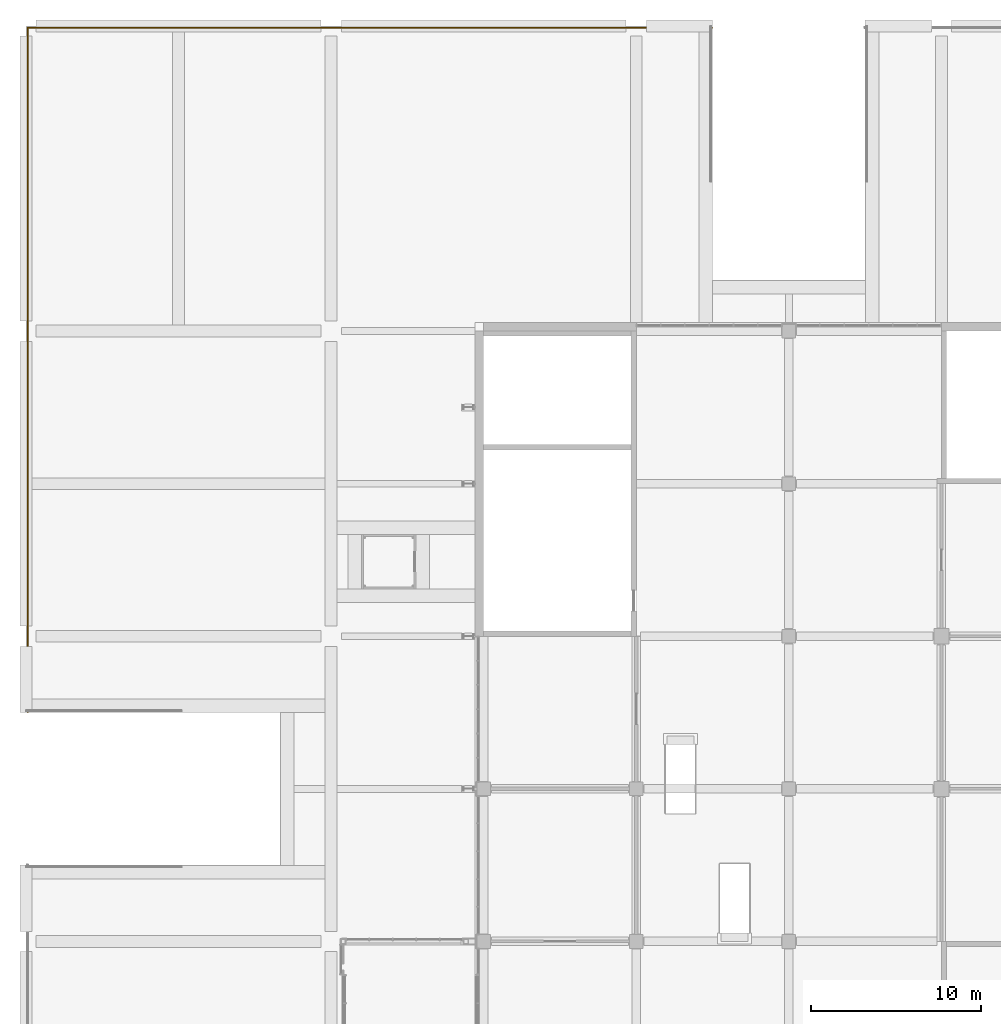
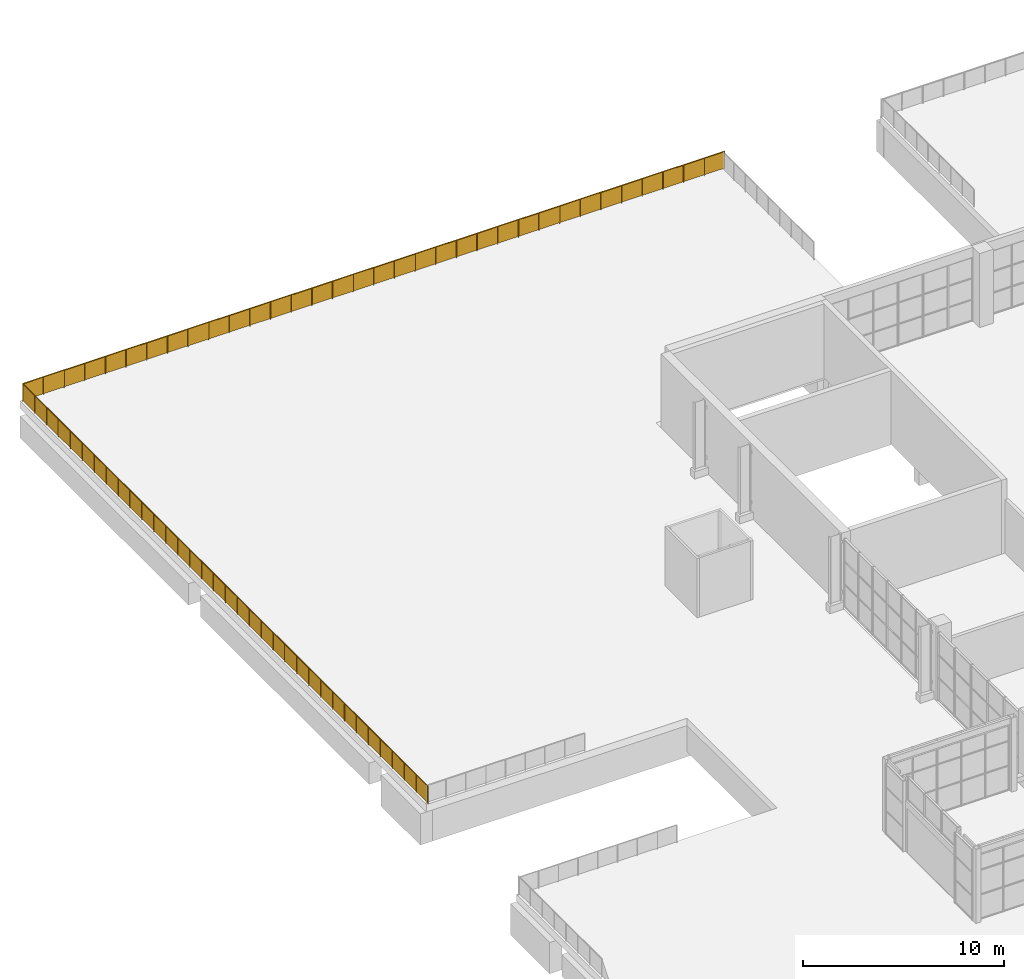
# One storey, part 159 of 168: 1 railing.
"""IFC4 building model written with IfcOpenShell, lengths in metres."""

from ifc_helpers import new_model, si_unit, direction, frame, origin, origin_2d, place, context, subcontext, project, spatial, polyline, circle, outline, extrude, material, type_object, element, save


model = new_model("IFC4")

# Units and contexts
model_context = context("Model", 3, precision=1e-05, world=origin(), true_north=direction((0.0, 1.0)))
body_context = subcontext(model_context, "Body", "Model", "MODEL_VIEW")
ifc_project = project(units=[si_unit("LENGTHUNIT", "METRE"), si_unit("AREAUNIT", "SQUARE_METRE"), si_unit("VOLUMEUNIT", "CUBIC_METRE"), si_unit("PLANEANGLEUNIT", "RADIAN"), si_unit("MASSUNIT", "GRAM", prefix="KILO")], contexts=[model_context])

# Site, building, storey
site_placement = place(None, origin())
site = spatial("IfcSite", under=ifc_project, at=site_placement, CompositionType="ELEMENT")
building_placement = place(site_placement, origin())
building = spatial("IfcBuilding", under=site, at=building_placement, Name="Silverbay Arena", CompositionType="ELEMENT")
storey_placement = place(building_placement, frame((0.0, 0.0, 7.0)))
storey = spatial("IfcBuildingStorey", under=building, at=storey_placement, Name="L01", CompositionType="ELEMENT", Elevation=7.0)

# Railing
ifc_material = material(Name="Stainless steel", Category="steel")
railing_type = type_object("IfcRailingType", Name="Plaza deck guard 1100", PredefinedType="GUARDRAIL", material=ifc_material)
railing_placement = place(storey_placement, frame((40.5, 161.89990234375, 0.0)))
element("IfcRailing", 1, at=railing_placement, inside=storey, type_object=railing_type, Name="Plaza deck guard 2", PredefinedType="GUARDRAIL", context=body_context, shape_type="SweptSolid", body=[
    extrude(circle(Radius=0.02392578125, at=origin_2d()), frame((0.0, 0.0, 1.076171875), z_axis=(-1.0, 0.0, 0.0), x_axis=(0.0, -1.0, 0.0)), (0.0, 0.0, 1.0), 40.39990234375),
    extrude(outline(polyline([(-0.008056640625, 0.050048828125), (1.1962890625, 0.050048828125), (1.1962890625, 1.052978515625), (-0.008056640625, 1.052978515625), (-0.008056640625, 0.050048828125)])), frame((0.0, -0.0029296875, 0.0), z_axis=(0.0, 1.0, 0.0), x_axis=(-1.0, 0.0, 0.0)), (0.0, 0.0, 1.0), 0.006103515625),
    extrude(outline(polyline([(-0.008056640625, 0.050048828125), (1.1962890625, 0.050048828125), (1.1962890625, 1.052978515625), (-0.008056640625, 1.052978515625), (-0.008056640625, 0.050048828125)])), frame((-1.188232421875, -0.0029296875, 0.0), z_axis=(0.0, 1.0, 0.0), x_axis=(-1.0, 0.0, 0.0)), (0.0, 0.0, 1.0), 0.006103515625),
    extrude(outline(polyline([(-0.008056640625, 0.050048828125), (1.1962890625, 0.050048828125), (1.1962890625, 1.052978515625), (-0.008056640625, 1.052978515625), (-0.008056640625, 0.050048828125)])), frame((-2.37646484375, -0.0029296875, 0.0), z_axis=(0.0, 1.0, 0.0), x_axis=(-1.0, 0.0, 0.0)), (0.0, 0.0, 1.0), 0.006103515625),
    extrude(outline(polyline([(-0.008056640625, 0.050048828125), (1.1962890625, 0.050048828125), (1.1962890625, 1.052978515625), (-0.008056640625, 1.052978515625), (-0.008056640625, 0.050048828125)])), frame((-3.564697265625, -0.0029296875, 0.0), z_axis=(0.0, 1.0, 0.0), x_axis=(-1.0, 0.0, 0.0)), (0.0, 0.0, 1.0), 0.006103515625),
    extrude(outline(polyline([(-0.008056640625, 0.050048828125), (1.1962890625, 0.050048828125), (1.1962890625, 1.052978515625), (-0.008056640625, 1.052978515625), (-0.008056640625, 0.050048828125)])), frame((-4.7529296875, -0.0029296875, 0.0), z_axis=(0.0, 1.0, 0.0), x_axis=(-1.0, 0.0, 0.0)), (0.0, 0.0, 1.0), 0.006103515625),
    extrude(outline(polyline([(-0.008056640625, 0.050048828125), (1.1962890625, 0.050048828125), (1.1962890625, 1.052978515625), (-0.008056640625, 1.052978515625), (-0.008056640625, 0.050048828125)])), frame((-5.941162109375, -0.0029296875, 0.0), z_axis=(0.0, 1.0, 0.0), x_axis=(-1.0, 0.0, 0.0)), (0.0, 0.0, 1.0), 0.006103515625),
    extrude(outline(polyline([(-0.008056640625, 0.050048828125), (1.1962890625, 0.050048828125), (1.1962890625, 1.052978515625), (-0.008056640625, 1.052978515625), (-0.008056640625, 0.050048828125)])), frame((-7.12939453125, -0.0029296875, 0.0), z_axis=(0.0, 1.0, 0.0), x_axis=(-1.0, 0.0, 0.0)), (0.0, 0.0, 1.0), 0.006103515625),
    extrude(outline(polyline([(-0.008056640625, 0.050048828125), (1.1962890625, 0.050048828125), (1.1962890625, 1.052978515625), (-0.008056640625, 1.052978515625), (-0.008056640625, 0.050048828125)])), frame((-8.317626953125, -0.0029296875, 0.0), z_axis=(0.0, 1.0, 0.0), x_axis=(-1.0, 0.0, 0.0)), (0.0, 0.0, 1.0), 0.006103515625),
    extrude(outline(polyline([(-0.008056640625, 0.050048828125), (1.1962890625, 0.050048828125), (1.1962890625, 1.052978515625), (-0.008056640625, 1.052978515625), (-0.008056640625, 0.050048828125)])), frame((-9.505859375, -0.0029296875, 0.0), z_axis=(0.0, 1.0, 0.0), x_axis=(-1.0, 0.0, 0.0)), (0.0, 0.0, 1.0), 0.006103515625),
    extrude(outline(polyline([(-0.008056640625, 0.050048828125), (1.1962890625, 0.050048828125), (1.1962890625, 1.052978515625), (-0.008056640625, 1.052978515625), (-0.008056640625, 0.050048828125)])), frame((-10.694091796875, -0.0029296875, 0.0), z_axis=(0.0, 1.0, 0.0), x_axis=(-1.0, 0.0, 0.0)), (0.0, 0.0, 1.0), 0.006103515625),
    extrude(outline(polyline([(-0.008056640625, 0.050048828125), (1.1962890625, 0.050048828125), (1.1962890625, 1.052978515625), (-0.008056640625, 1.052978515625), (-0.008056640625, 0.050048828125)])), frame((-11.88232421875, -0.0029296875, 0.0), z_axis=(0.0, 1.0, 0.0), x_axis=(-1.0, 0.0, 0.0)), (0.0, 0.0, 1.0), 0.006103515625),
    extrude(outline(polyline([(-0.008056640625, 0.050048828125), (1.1962890625, 0.050048828125), (1.1962890625, 1.052978515625), (-0.008056640625, 1.052978515625), (-0.008056640625, 0.050048828125)])), frame((-13.070556640625, -0.0029296875, 0.0), z_axis=(0.0, 1.0, 0.0), x_axis=(-1.0, 0.0, 0.0)), (0.0, 0.0, 1.0), 0.006103515625),
    extrude(outline(polyline([(-0.008056640625, 0.050048828125), (1.1962890625, 0.050048828125), (1.1962890625, 1.052978515625), (-0.008056640625, 1.052978515625), (-0.008056640625, 0.050048828125)])), frame((-14.2587890625, -0.0029296875, 0.0), z_axis=(0.0, 1.0, 0.0), x_axis=(-1.0, 0.0, 0.0)), (0.0, 0.0, 1.0), 0.006103515625),
    extrude(outline(polyline([(-0.008056640625, 0.050048828125), (1.1962890625, 0.050048828125), (1.1962890625, 1.052978515625), (-0.008056640625, 1.052978515625), (-0.008056640625, 0.050048828125)])), frame((-15.447021484375, -0.0029296875, 0.0), z_axis=(0.0, 1.0, 0.0), x_axis=(-1.0, 0.0, 0.0)), (0.0, 0.0, 1.0), 0.006103515625),
    extrude(outline(polyline([(-0.008056640625, 0.050048828125), (1.1962890625, 0.050048828125), (1.1962890625, 1.052978515625), (-0.008056640625, 1.052978515625), (-0.008056640625, 0.050048828125)])), frame((-16.63525390625, -0.0029296875, 0.0), z_axis=(0.0, 1.0, 0.0), x_axis=(-1.0, 0.0, 0.0)), (0.0, 0.0, 1.0), 0.006103515625),
    extrude(outline(polyline([(-0.008056640625, 0.050048828125), (1.1962890625, 0.050048828125), (1.1962890625, 1.052978515625), (-0.008056640625, 1.052978515625), (-0.008056640625, 0.050048828125)])), frame((-17.823486328125, -0.0029296875, 0.0), z_axis=(0.0, 1.0, 0.0), x_axis=(-1.0, 0.0, 0.0)), (0.0, 0.0, 1.0), 0.006103515625),
    extrude(outline(polyline([(-0.008056640625, 0.050048828125), (1.1962890625, 0.050048828125), (1.1962890625, 1.052978515625), (-0.008056640625, 1.052978515625), (-0.008056640625, 0.050048828125)])), frame((-19.01171875, -0.0029296875, 0.0), z_axis=(0.0, 1.0, 0.0), x_axis=(-1.0, 0.0, 0.0)), (0.0, 0.0, 1.0), 0.006103515625),
    extrude(outline(polyline([(-0.008056640625, 0.050048828125), (1.1962890625, 0.050048828125), (1.1962890625, 1.052978515625), (-0.008056640625, 1.052978515625), (-0.008056640625, 0.050048828125)])), frame((-20.199951171875, -0.0029296875, 0.0), z_axis=(0.0, 1.0, 0.0), x_axis=(-1.0, 0.0, 0.0)), (0.0, 0.0, 1.0), 0.006103515625),
    extrude(outline(polyline([(-0.008056640625, 0.050048828125), (1.1962890625, 0.050048828125), (1.1962890625, 1.052978515625), (-0.008056640625, 1.052978515625), (-0.008056640625, 0.050048828125)])), frame((-21.38818359375, -0.0029296875, 0.0), z_axis=(0.0, 1.0, 0.0), x_axis=(-1.0, 0.0, 0.0)), (0.0, 0.0, 1.0), 0.006103515625),
    extrude(outline(polyline([(-0.008056640625, 0.050048828125), (1.1962890625, 0.050048828125), (1.1962890625, 1.052978515625), (-0.008056640625, 1.052978515625), (-0.008056640625, 0.050048828125)])), frame((-22.576416015625, -0.0029296875, 0.0), z_axis=(0.0, 1.0, 0.0), x_axis=(-1.0, 0.0, 0.0)), (0.0, 0.0, 1.0), 0.006103515625),
    extrude(outline(polyline([(-0.008056640625, 0.050048828125), (1.1962890625, 0.050048828125), (1.1962890625, 1.052978515625), (-0.008056640625, 1.052978515625), (-0.008056640625, 0.050048828125)])), frame((-23.7646484375, -0.0029296875, 0.0), z_axis=(0.0, 1.0, 0.0), x_axis=(-1.0, 0.0, 0.0)), (0.0, 0.0, 1.0), 0.006103515625),
    extrude(outline(polyline([(-0.008056640625, 0.050048828125), (1.1962890625, 0.050048828125), (1.1962890625, 1.052978515625), (-0.008056640625, 1.052978515625), (-0.008056640625, 0.050048828125)])), frame((-24.952880859375, -0.0029296875, 0.0), z_axis=(0.0, 1.0, 0.0), x_axis=(-1.0, 0.0, 0.0)), (0.0, 0.0, 1.0), 0.006103515625),
    extrude(outline(polyline([(-0.008056640625, 0.050048828125), (1.1962890625, 0.050048828125), (1.1962890625, 1.052978515625), (-0.008056640625, 1.052978515625), (-0.008056640625, 0.050048828125)])), frame((-26.14111328125, -0.0029296875, 0.0), z_axis=(0.0, 1.0, 0.0), x_axis=(-1.0, 0.0, 0.0)), (0.0, 0.0, 1.0), 0.006103515625),
    extrude(outline(polyline([(-0.008056640625, 0.050048828125), (1.1962890625, 0.050048828125), (1.1962890625, 1.052978515625), (-0.008056640625, 1.052978515625), (-0.008056640625, 0.050048828125)])), frame((-27.329345703125, -0.0029296875, 0.0), z_axis=(0.0, 1.0, 0.0), x_axis=(-1.0, 0.0, 0.0)), (0.0, 0.0, 1.0), 0.006103515625),
    extrude(outline(polyline([(-0.008056640625, 0.050048828125), (1.1962890625, 0.050048828125), (1.1962890625, 1.052978515625), (-0.008056640625, 1.052978515625), (-0.008056640625, 0.050048828125)])), frame((-28.517578125, -0.0029296875, 0.0), z_axis=(0.0, 1.0, 0.0), x_axis=(-1.0, 0.0, 0.0)), (0.0, 0.0, 1.0), 0.006103515625),
    extrude(outline(polyline([(-0.008056640625, 0.050048828125), (1.1962890625, 0.050048828125), (1.1962890625, 1.052978515625), (-0.008056640625, 1.052978515625), (-0.008056640625, 0.050048828125)])), frame((-29.705810546875, -0.0029296875, 0.0), z_axis=(0.0, 1.0, 0.0), x_axis=(-1.0, 0.0, 0.0)), (0.0, 0.0, 1.0), 0.006103515625),
    extrude(outline(polyline([(-0.008056640625, 0.050048828125), (1.1962890625, 0.050048828125), (1.1962890625, 1.052978515625), (-0.008056640625, 1.052978515625), (-0.008056640625, 0.050048828125)])), frame((-30.89404296875, -0.0029296875, 0.0), z_axis=(0.0, 1.0, 0.0), x_axis=(-1.0, 0.0, 0.0)), (0.0, 0.0, 1.0), 0.006103515625),
    extrude(outline(polyline([(-0.008056640625, 0.050048828125), (1.1962890625, 0.050048828125), (1.1962890625, 1.052978515625), (-0.008056640625, 1.052978515625), (-0.008056640625, 0.050048828125)])), frame((-32.082275390625, -0.0029296875, 0.0), z_axis=(0.0, 1.0, 0.0), x_axis=(-1.0, 0.0, 0.0)), (0.0, 0.0, 1.0), 0.006103515625),
    extrude(outline(polyline([(-0.008056640625, 0.050048828125), (1.1962890625, 0.050048828125), (1.1962890625, 1.052978515625), (-0.008056640625, 1.052978515625), (-0.008056640625, 0.050048828125)])), frame((-33.2705078125, -0.0029296875, 0.0), z_axis=(0.0, 1.0, 0.0), x_axis=(-1.0, 0.0, 0.0)), (0.0, 0.0, 1.0), 0.006103515625),
    extrude(outline(polyline([(-0.008056640625, 0.050048828125), (1.1962890625, 0.050048828125), (1.1962890625, 1.052978515625), (-0.008056640625, 1.052978515625), (-0.008056640625, 0.050048828125)])), frame((-34.458740234375, -0.0029296875, 0.0), z_axis=(0.0, 1.0, 0.0), x_axis=(-1.0, 0.0, 0.0)), (0.0, 0.0, 1.0), 0.006103515625),
    extrude(outline(polyline([(-0.008056640625, 0.050048828125), (1.1962890625, 0.050048828125), (1.1962890625, 1.052978515625), (-0.008056640625, 1.052978515625), (-0.008056640625, 0.050048828125)])), frame((-35.64697265625, -0.0029296875, 0.0), z_axis=(0.0, 1.0, 0.0), x_axis=(-1.0, 0.0, 0.0)), (0.0, 0.0, 1.0), 0.006103515625),
    extrude(outline(polyline([(-0.008056640625, 0.050048828125), (1.1962890625, 0.050048828125), (1.1962890625, 1.052978515625), (-0.008056640625, 1.052978515625), (-0.008056640625, 0.050048828125)])), frame((-36.835205078125, -0.0029296875, 0.0), z_axis=(0.0, 1.0, 0.0), x_axis=(-1.0, 0.0, 0.0)), (0.0, 0.0, 1.0), 0.006103515625),
    extrude(outline(polyline([(-0.008056640625, 0.050048828125), (1.1962890625, 0.050048828125), (1.1962890625, 1.052978515625), (-0.008056640625, 1.052978515625), (-0.008056640625, 0.050048828125)])), frame((-38.0234375, -0.0029296875, 0.0), z_axis=(0.0, 1.0, 0.0), x_axis=(-1.0, 0.0, 0.0)), (0.0, 0.0, 1.0), 0.006103515625),
    extrude(outline(polyline([(-0.008056640625, 0.050048828125), (1.1962890625, 0.050048828125), (1.1962890625, 1.052978515625), (-0.008056640625, 1.052978515625), (-0.008056640625, 0.050048828125)])), frame((-39.211669921875, -0.0029296875, 0.0), z_axis=(0.0, 1.0, 0.0), x_axis=(-1.0, 0.0, 0.0)), (0.0, 0.0, 1.0), 0.006103515625),
    extrude(circle(Radius=0.02392578125, at=origin_2d()), frame((-40.39990234375, 0.0, 1.076171875), z_axis=(0.0, -1.0, 0.0), x_axis=(1.0, 0.0, 0.0)), (0.0, 0.0, 1.0), 40.39990234375),
    extrude(outline(polyline([(-0.008056640625, 0.050048828125), (1.1962890625, 0.050048828125), (1.1962890625, 1.052978515625), (-0.008056640625, 1.052978515625), (-0.008056640625, 0.050048828125)])), frame((-40.39697265625, 0.0, 0.0), z_axis=(-1.0, 0.0, 0.0), x_axis=(0.0, -1.0, 0.0)), (0.0, 0.0, 1.0), 0.006103515625),
    extrude(outline(polyline([(-0.008056640625, 0.050048828125), (1.1962890625, 0.050048828125), (1.1962890625, 1.052978515625), (-0.008056640625, 1.052978515625), (-0.008056640625, 0.050048828125)])), frame((-40.39697265625, -1.188232421875, 0.0), z_axis=(-1.0, 0.0, 0.0), x_axis=(0.0, -1.0, 0.0)), (0.0, 0.0, 1.0), 0.006103515625),
    extrude(outline(polyline([(-0.008056640625, 0.050048828125), (1.1962890625, 0.050048828125), (1.1962890625, 1.052978515625), (-0.008056640625, 1.052978515625), (-0.008056640625, 0.050048828125)])), frame((-40.39697265625, -2.37646484375, 0.0), z_axis=(-1.0, 0.0, 0.0), x_axis=(0.0, -1.0, 0.0)), (0.0, 0.0, 1.0), 0.006103515625),
    extrude(outline(polyline([(-0.008056640625, 0.050048828125), (1.1962890625, 0.050048828125), (1.1962890625, 1.052978515625), (-0.008056640625, 1.052978515625), (-0.008056640625, 0.050048828125)])), frame((-40.39697265625, -3.564697265625, 0.0), z_axis=(-1.0, 0.0, 0.0), x_axis=(0.0, -1.0, 0.0)), (0.0, 0.0, 1.0), 0.006103515625),
    extrude(outline(polyline([(-0.008056640625, 0.050048828125), (1.1962890625, 0.050048828125), (1.1962890625, 1.052978515625), (-0.008056640625, 1.052978515625), (-0.008056640625, 0.050048828125)])), frame((-40.39697265625, -4.7529296875, 0.0), z_axis=(-1.0, 0.0, 0.0), x_axis=(0.0, -1.0, 0.0)), (0.0, 0.0, 1.0), 0.006103515625),
    extrude(outline(polyline([(-0.008056640625, 0.050048828125), (1.1962890625, 0.050048828125), (1.1962890625, 1.052978515625), (-0.008056640625, 1.052978515625), (-0.008056640625, 0.050048828125)])), frame((-40.39697265625, -5.941162109375, 0.0), z_axis=(-1.0, 0.0, 0.0), x_axis=(0.0, -1.0, 0.0)), (0.0, 0.0, 1.0), 0.006103515625),
    extrude(outline(polyline([(-0.008056640625, 0.050048828125), (1.1962890625, 0.050048828125), (1.1962890625, 1.052978515625), (-0.008056640625, 1.052978515625), (-0.008056640625, 0.050048828125)])), frame((-40.39697265625, -7.12939453125, 0.0), z_axis=(-1.0, 0.0, 0.0), x_axis=(0.0, -1.0, 0.0)), (0.0, 0.0, 1.0), 0.006103515625),
    extrude(outline(polyline([(-0.008056640625, 0.050048828125), (1.1962890625, 0.050048828125), (1.1962890625, 1.052978515625), (-0.008056640625, 1.052978515625), (-0.008056640625, 0.050048828125)])), frame((-40.39697265625, -8.317626953125, 0.0), z_axis=(-1.0, 0.0, 0.0), x_axis=(0.0, -1.0, 0.0)), (0.0, 0.0, 1.0), 0.006103515625),
    extrude(outline(polyline([(-0.008056640625, 0.050048828125), (1.1962890625, 0.050048828125), (1.1962890625, 1.052978515625), (-0.008056640625, 1.052978515625), (-0.008056640625, 0.050048828125)])), frame((-40.39697265625, -9.505859375, 0.0), z_axis=(-1.0, 0.0, 0.0), x_axis=(0.0, -1.0, 0.0)), (0.0, 0.0, 1.0), 0.006103515625),
    extrude(outline(polyline([(-0.008056640625, 0.050048828125), (1.1962890625, 0.050048828125), (1.1962890625, 1.052978515625), (-0.008056640625, 1.052978515625), (-0.008056640625, 0.050048828125)])), frame((-40.39697265625, -10.694091796875, 0.0), z_axis=(-1.0, 0.0, 0.0), x_axis=(0.0, -1.0, 0.0)), (0.0, 0.0, 1.0), 0.006103515625),
    extrude(outline(polyline([(-0.008056640625, 0.050048828125), (1.1962890625, 0.050048828125), (1.1962890625, 1.052978515625), (-0.008056640625, 1.052978515625), (-0.008056640625, 0.050048828125)])), frame((-40.39697265625, -11.88232421875, 0.0), z_axis=(-1.0, 0.0, 0.0), x_axis=(0.0, -1.0, 0.0)), (0.0, 0.0, 1.0), 0.006103515625),
    extrude(outline(polyline([(-0.008056640625, 0.050048828125), (1.1962890625, 0.050048828125), (1.1962890625, 1.052978515625), (-0.008056640625, 1.052978515625), (-0.008056640625, 0.050048828125)])), frame((-40.39697265625, -13.070556640625, 0.0), z_axis=(-1.0, 0.0, 0.0), x_axis=(0.0, -1.0, 0.0)), (0.0, 0.0, 1.0), 0.006103515625),
    extrude(outline(polyline([(-0.008056640625, 0.050048828125), (1.1962890625, 0.050048828125), (1.1962890625, 1.052978515625), (-0.008056640625, 1.052978515625), (-0.008056640625, 0.050048828125)])), frame((-40.39697265625, -14.2587890625, 0.0), z_axis=(-1.0, 0.0, 0.0), x_axis=(0.0, -1.0, 0.0)), (0.0, 0.0, 1.0), 0.006103515625),
    extrude(outline(polyline([(-0.008056640625, 0.050048828125), (1.1962890625, 0.050048828125), (1.1962890625, 1.052978515625), (-0.008056640625, 1.052978515625), (-0.008056640625, 0.050048828125)])), frame((-40.39697265625, -15.447021484375, 0.0), z_axis=(-1.0, 0.0, 0.0), x_axis=(0.0, -1.0, 0.0)), (0.0, 0.0, 1.0), 0.006103515625),
    extrude(outline(polyline([(-0.008056640625, 0.050048828125), (1.1962890625, 0.050048828125), (1.1962890625, 1.052978515625), (-0.008056640625, 1.052978515625), (-0.008056640625, 0.050048828125)])), frame((-40.39697265625, -16.63525390625, 0.0), z_axis=(-1.0, 0.0, 0.0), x_axis=(0.0, -1.0, 0.0)), (0.0, 0.0, 1.0), 0.006103515625),
    extrude(outline(polyline([(-0.008056640625, 0.050048828125), (1.1962890625, 0.050048828125), (1.1962890625, 1.052978515625), (-0.008056640625, 1.052978515625), (-0.008056640625, 0.050048828125)])), frame((-40.39697265625, -17.823486328125, 0.0), z_axis=(-1.0, 0.0, 0.0), x_axis=(0.0, -1.0, 0.0)), (0.0, 0.0, 1.0), 0.006103515625),
    extrude(outline(polyline([(-0.008056640625, 0.050048828125), (1.1962890625, 0.050048828125), (1.1962890625, 1.052978515625), (-0.008056640625, 1.052978515625), (-0.008056640625, 0.050048828125)])), frame((-40.39697265625, -19.01171875, 0.0), z_axis=(-1.0, 0.0, 0.0), x_axis=(0.0, -1.0, 0.0)), (0.0, 0.0, 1.0), 0.006103515625),
    extrude(outline(polyline([(-0.008056640625, 0.050048828125), (1.1962890625, 0.050048828125), (1.1962890625, 1.052978515625), (-0.008056640625, 1.052978515625), (-0.008056640625, 0.050048828125)])), frame((-40.39697265625, -20.199951171875, 0.0), z_axis=(-1.0, 0.0, 0.0), x_axis=(0.0, -1.0, 0.0)), (0.0, 0.0, 1.0), 0.006103515625),
    extrude(outline(polyline([(-0.008056640625, 0.050048828125), (1.1962890625, 0.050048828125), (1.1962890625, 1.052978515625), (-0.008056640625, 1.052978515625), (-0.008056640625, 0.050048828125)])), frame((-40.39697265625, -21.38818359375, 0.0), z_axis=(-1.0, 0.0, 0.0), x_axis=(0.0, -1.0, 0.0)), (0.0, 0.0, 1.0), 0.006103515625),
    extrude(outline(polyline([(-0.008056640625, 0.050048828125), (1.1962890625, 0.050048828125), (1.1962890625, 1.052978515625), (-0.008056640625, 1.052978515625), (-0.008056640625, 0.050048828125)])), frame((-40.39697265625, -22.576416015625, 0.0), z_axis=(-1.0, 0.0, 0.0), x_axis=(0.0, -1.0, 0.0)), (0.0, 0.0, 1.0), 0.006103515625),
    extrude(outline(polyline([(-0.008056640625, 0.050048828125), (1.1962890625, 0.050048828125), (1.1962890625, 1.052978515625), (-0.008056640625, 1.052978515625), (-0.008056640625, 0.050048828125)])), frame((-40.39697265625, -23.7646484375, 0.0), z_axis=(-1.0, 0.0, 0.0), x_axis=(0.0, -1.0, 0.0)), (0.0, 0.0, 1.0), 0.006103515625),
    extrude(outline(polyline([(-0.008056640625, 0.050048828125), (1.1962890625, 0.050048828125), (1.1962890625, 1.052978515625), (-0.008056640625, 1.052978515625), (-0.008056640625, 0.050048828125)])), frame((-40.39697265625, -24.952880859375, 0.0), z_axis=(-1.0, 0.0, 0.0), x_axis=(0.0, -1.0, 0.0)), (0.0, 0.0, 1.0), 0.006103515625),
    extrude(outline(polyline([(-0.008056640625, 0.050048828125), (1.1962890625, 0.050048828125), (1.1962890625, 1.052978515625), (-0.008056640625, 1.052978515625), (-0.008056640625, 0.050048828125)])), frame((-40.39697265625, -26.14111328125, 0.0), z_axis=(-1.0, 0.0, 0.0), x_axis=(0.0, -1.0, 0.0)), (0.0, 0.0, 1.0), 0.006103515625),
    extrude(outline(polyline([(-0.008056640625, 0.050048828125), (1.1962890625, 0.050048828125), (1.1962890625, 1.052978515625), (-0.008056640625, 1.052978515625), (-0.008056640625, 0.050048828125)])), frame((-40.39697265625, -27.329345703125, 0.0), z_axis=(-1.0, 0.0, 0.0), x_axis=(0.0, -1.0, 0.0)), (0.0, 0.0, 1.0), 0.006103515625),
    extrude(outline(polyline([(-0.008056640625, 0.050048828125), (1.1962890625, 0.050048828125), (1.1962890625, 1.052978515625), (-0.008056640625, 1.052978515625), (-0.008056640625, 0.050048828125)])), frame((-40.39697265625, -28.517578125, 0.0), z_axis=(-1.0, 0.0, 0.0), x_axis=(0.0, -1.0, 0.0)), (0.0, 0.0, 1.0), 0.006103515625),
    extrude(outline(polyline([(-0.008056640625, 0.050048828125), (1.1962890625, 0.050048828125), (1.1962890625, 1.052978515625), (-0.008056640625, 1.052978515625), (-0.008056640625, 0.050048828125)])), frame((-40.39697265625, -29.705810546875, 0.0), z_axis=(-1.0, 0.0, 0.0), x_axis=(0.0, -1.0, 0.0)), (0.0, 0.0, 1.0), 0.006103515625),
    extrude(outline(polyline([(-0.008056640625, 0.050048828125), (1.1962890625, 0.050048828125), (1.1962890625, 1.052978515625), (-0.008056640625, 1.052978515625), (-0.008056640625, 0.050048828125)])), frame((-40.39697265625, -30.89404296875, 0.0), z_axis=(-1.0, 0.0, 0.0), x_axis=(0.0, -1.0, 0.0)), (0.0, 0.0, 1.0), 0.006103515625),
    extrude(outline(polyline([(-0.008056640625, 0.050048828125), (1.1962890625, 0.050048828125), (1.1962890625, 1.052978515625), (-0.008056640625, 1.052978515625), (-0.008056640625, 0.050048828125)])), frame((-40.39697265625, -32.082275390625, 0.0), z_axis=(-1.0, 0.0, 0.0), x_axis=(0.0, -1.0, 0.0)), (0.0, 0.0, 1.0), 0.006103515625),
    extrude(outline(polyline([(-0.008056640625, 0.050048828125), (1.1962890625, 0.050048828125), (1.1962890625, 1.052978515625), (-0.008056640625, 1.052978515625), (-0.008056640625, 0.050048828125)])), frame((-40.39697265625, -33.2705078125, 0.0), z_axis=(-1.0, 0.0, 0.0), x_axis=(0.0, -1.0, 0.0)), (0.0, 0.0, 1.0), 0.006103515625),
    extrude(outline(polyline([(-0.008056640625, 0.050048828125), (1.1962890625, 0.050048828125), (1.1962890625, 1.052978515625), (-0.008056640625, 1.052978515625), (-0.008056640625, 0.050048828125)])), frame((-40.39697265625, -34.458740234375, 0.0), z_axis=(-1.0, 0.0, 0.0), x_axis=(0.0, -1.0, 0.0)), (0.0, 0.0, 1.0), 0.006103515625),
    extrude(outline(polyline([(-0.008056640625, 0.050048828125), (1.1962890625, 0.050048828125), (1.1962890625, 1.052978515625), (-0.008056640625, 1.052978515625), (-0.008056640625, 0.050048828125)])), frame((-40.39697265625, -35.64697265625, 0.0), z_axis=(-1.0, 0.0, 0.0), x_axis=(0.0, -1.0, 0.0)), (0.0, 0.0, 1.0), 0.006103515625),
    extrude(outline(polyline([(-0.008056640625, 0.050048828125), (1.1962890625, 0.050048828125), (1.1962890625, 1.052978515625), (-0.008056640625, 1.052978515625), (-0.008056640625, 0.050048828125)])), frame((-40.39697265625, -36.835205078125, 0.0), z_axis=(-1.0, 0.0, 0.0), x_axis=(0.0, -1.0, 0.0)), (0.0, 0.0, 1.0), 0.006103515625),
    extrude(outline(polyline([(-0.008056640625, 0.050048828125), (1.1962890625, 0.050048828125), (1.1962890625, 1.052978515625), (-0.008056640625, 1.052978515625), (-0.008056640625, 0.050048828125)])), frame((-40.39697265625, -38.0234375, 0.0), z_axis=(-1.0, 0.0, 0.0), x_axis=(0.0, -1.0, 0.0)), (0.0, 0.0, 1.0), 0.006103515625),
    extrude(outline(polyline([(-0.008056640625, 0.050048828125), (1.1962890625, 0.050048828125), (1.1962890625, 1.052978515625), (-0.008056640625, 1.052978515625), (-0.008056640625, 0.050048828125)])), frame((-40.39697265625, -39.211669921875, 0.0), z_axis=(-1.0, 0.0, 0.0), x_axis=(0.0, -1.0, 0.0)), (0.0, 0.0, 1.0), 0.006103515625),
    extrude(circle(Radius=0.02099609375, at=origin_2d()), origin(), (0.0, 0.0, 1.0), 1.052001953125),
    extrude(circle(Radius=0.02099609375, at=origin_2d()), frame((-1.188232421875, 0.0, 0.0)), (0.0, 0.0, 1.0), 1.052001953125),
    extrude(circle(Radius=0.02099609375, at=origin_2d()), frame((-2.37646484375, 0.0, 0.0)), (0.0, 0.0, 1.0), 1.052001953125),
    extrude(circle(Radius=0.02099609375, at=origin_2d()), frame((-3.564697265625, 0.0, 0.0)), (0.0, 0.0, 1.0), 1.052001953125),
    extrude(circle(Radius=0.02099609375, at=origin_2d()), frame((-4.7529296875, 0.0, 0.0)), (0.0, 0.0, 1.0), 1.052001953125),
    extrude(circle(Radius=0.02099609375, at=origin_2d()), frame((-5.941162109375, 0.0, 0.0)), (0.0, 0.0, 1.0), 1.052001953125),
    extrude(circle(Radius=0.02099609375, at=origin_2d()), frame((-7.12939453125, 0.0, 0.0)), (0.0, 0.0, 1.0), 1.052001953125),
    extrude(circle(Radius=0.02099609375, at=origin_2d()), frame((-8.317626953125, 0.0, 0.0)), (0.0, 0.0, 1.0), 1.052001953125),
    extrude(circle(Radius=0.02099609375, at=origin_2d()), frame((-9.505859375, 0.0, 0.0)), (0.0, 0.0, 1.0), 1.052001953125),
    extrude(circle(Radius=0.02099609375, at=origin_2d()), frame((-10.694091796875, 0.0, 0.0)), (0.0, 0.0, 1.0), 1.052001953125),
    extrude(circle(Radius=0.02099609375, at=origin_2d()), frame((-11.88232421875, 0.0, 0.0)), (0.0, 0.0, 1.0), 1.052001953125),
    extrude(circle(Radius=0.02099609375, at=origin_2d()), frame((-13.070556640625, 0.0, 0.0)), (0.0, 0.0, 1.0), 1.052001953125),
    extrude(circle(Radius=0.02099609375, at=origin_2d()), frame((-14.2587890625, 0.0, 0.0)), (0.0, 0.0, 1.0), 1.052001953125),
    extrude(circle(Radius=0.02099609375, at=origin_2d()), frame((-15.447021484375, 0.0, 0.0)), (0.0, 0.0, 1.0), 1.052001953125),
    extrude(circle(Radius=0.02099609375, at=origin_2d()), frame((-16.63525390625, 0.0, 0.0)), (0.0, 0.0, 1.0), 1.052001953125),
    extrude(circle(Radius=0.02099609375, at=origin_2d()), frame((-17.823486328125, 0.0, 0.0)), (0.0, 0.0, 1.0), 1.052001953125),
    extrude(circle(Radius=0.02099609375, at=origin_2d()), frame((-19.01171875, 0.0, 0.0)), (0.0, 0.0, 1.0), 1.052001953125),
    extrude(circle(Radius=0.02099609375, at=origin_2d()), frame((-20.199951171875, 0.0, 0.0)), (0.0, 0.0, 1.0), 1.052001953125),
    extrude(circle(Radius=0.02099609375, at=origin_2d()), frame((-21.38818359375, 0.0, 0.0)), (0.0, 0.0, 1.0), 1.052001953125),
    extrude(circle(Radius=0.02099609375, at=origin_2d()), frame((-22.576416015625, 0.0, 0.0)), (0.0, 0.0, 1.0), 1.052001953125),
    extrude(circle(Radius=0.02099609375, at=origin_2d()), frame((-23.7646484375, 0.0, 0.0)), (0.0, 0.0, 1.0), 1.052001953125),
    extrude(circle(Radius=0.02099609375, at=origin_2d()), frame((-24.952880859375, 0.0, 0.0)), (0.0, 0.0, 1.0), 1.052001953125),
    extrude(circle(Radius=0.02099609375, at=origin_2d()), frame((-26.14111328125, 0.0, 0.0)), (0.0, 0.0, 1.0), 1.052001953125),
    extrude(circle(Radius=0.02099609375, at=origin_2d()), frame((-27.329345703125, 0.0, 0.0)), (0.0, 0.0, 1.0), 1.052001953125),
    extrude(circle(Radius=0.02099609375, at=origin_2d()), frame((-28.517578125, 0.0, 0.0)), (0.0, 0.0, 1.0), 1.052001953125),
    extrude(circle(Radius=0.02099609375, at=origin_2d()), frame((-29.705810546875, 0.0, 0.0)), (0.0, 0.0, 1.0), 1.052001953125),
    extrude(circle(Radius=0.02099609375, at=origin_2d()), frame((-30.89404296875, 0.0, 0.0)), (0.0, 0.0, 1.0), 1.052001953125),
    extrude(circle(Radius=0.02099609375, at=origin_2d()), frame((-32.082275390625, 0.0, 0.0)), (0.0, 0.0, 1.0), 1.052001953125),
    extrude(circle(Radius=0.02099609375, at=origin_2d()), frame((-33.2705078125, 0.0, 0.0)), (0.0, 0.0, 1.0), 1.052001953125),
    extrude(circle(Radius=0.02099609375, at=origin_2d()), frame((-34.458740234375, 0.0, 0.0)), (0.0, 0.0, 1.0), 1.052001953125),
    extrude(circle(Radius=0.02099609375, at=origin_2d()), frame((-35.64697265625, 0.0, 0.0)), (0.0, 0.0, 1.0), 1.052001953125),
    extrude(circle(Radius=0.02099609375, at=origin_2d()), frame((-36.835205078125, 0.0, 0.0)), (0.0, 0.0, 1.0), 1.052001953125),
    extrude(circle(Radius=0.02099609375, at=origin_2d()), frame((-38.0234375, 0.0, 0.0)), (0.0, 0.0, 1.0), 1.052001953125),
    extrude(circle(Radius=0.02099609375, at=origin_2d()), frame((-39.211669921875, 0.0, 0.0)), (0.0, 0.0, 1.0), 1.052001953125),
    extrude(circle(Radius=0.02099609375, at=origin_2d()), frame((-40.39990234375, 0.0, 0.0)), (0.0, 0.0, 1.0), 1.052001953125),
    extrude(circle(Radius=0.02099609375, at=origin_2d()), frame((-40.39990234375, -1.188232421875, 0.0)), (0.0, 0.0, 1.0), 1.052001953125),
    extrude(circle(Radius=0.02099609375, at=origin_2d()), frame((-40.39990234375, -2.37646484375, 0.0)), (0.0, 0.0, 1.0), 1.052001953125),
    extrude(circle(Radius=0.02099609375, at=origin_2d()), frame((-40.39990234375, -3.564697265625, 0.0)), (0.0, 0.0, 1.0), 1.052001953125),
    extrude(circle(Radius=0.02099609375, at=origin_2d()), frame((-40.39990234375, -4.7529296875, 0.0)), (0.0, 0.0, 1.0), 1.052001953125),
    extrude(circle(Radius=0.02099609375, at=origin_2d()), frame((-40.39990234375, -5.941162109375, 0.0)), (0.0, 0.0, 1.0), 1.052001953125),
    extrude(circle(Radius=0.02099609375, at=origin_2d()), frame((-40.39990234375, -7.12939453125, 0.0)), (0.0, 0.0, 1.0), 1.052001953125),
    extrude(circle(Radius=0.02099609375, at=origin_2d()), frame((-40.39990234375, -8.317626953125, 0.0)), (0.0, 0.0, 1.0), 1.052001953125),
    extrude(circle(Radius=0.02099609375, at=origin_2d()), frame((-40.39990234375, -9.505859375, 0.0)), (0.0, 0.0, 1.0), 1.052001953125),
    extrude(circle(Radius=0.02099609375, at=origin_2d()), frame((-40.39990234375, -10.694091796875, 0.0)), (0.0, 0.0, 1.0), 1.052001953125),
    extrude(circle(Radius=0.02099609375, at=origin_2d()), frame((-40.39990234375, -11.88232421875, 0.0)), (0.0, 0.0, 1.0), 1.052001953125),
    extrude(circle(Radius=0.02099609375, at=origin_2d()), frame((-40.39990234375, -13.070556640625, 0.0)), (0.0, 0.0, 1.0), 1.052001953125),
    extrude(circle(Radius=0.02099609375, at=origin_2d()), frame((-40.39990234375, -14.2587890625, 0.0)), (0.0, 0.0, 1.0), 1.052001953125),
    extrude(circle(Radius=0.02099609375, at=origin_2d()), frame((-40.39990234375, -15.447021484375, 0.0)), (0.0, 0.0, 1.0), 1.052001953125),
    extrude(circle(Radius=0.02099609375, at=origin_2d()), frame((-40.39990234375, -16.63525390625, 0.0)), (0.0, 0.0, 1.0), 1.052001953125),
    extrude(circle(Radius=0.02099609375, at=origin_2d()), frame((-40.39990234375, -17.823486328125, 0.0)), (0.0, 0.0, 1.0), 1.052001953125),
    extrude(circle(Radius=0.02099609375, at=origin_2d()), frame((-40.39990234375, -19.01171875, 0.0)), (0.0, 0.0, 1.0), 1.052001953125),
    extrude(circle(Radius=0.02099609375, at=origin_2d()), frame((-40.39990234375, -20.199951171875, 0.0)), (0.0, 0.0, 1.0), 1.052001953125),
    extrude(circle(Radius=0.02099609375, at=origin_2d()), frame((-40.39990234375, -21.38818359375, 0.0)), (0.0, 0.0, 1.0), 1.052001953125),
    extrude(circle(Radius=0.02099609375, at=origin_2d()), frame((-40.39990234375, -22.576416015625, 0.0)), (0.0, 0.0, 1.0), 1.052001953125),
    extrude(circle(Radius=0.02099609375, at=origin_2d()), frame((-40.39990234375, -23.7646484375, 0.0)), (0.0, 0.0, 1.0), 1.052001953125),
    extrude(circle(Radius=0.02099609375, at=origin_2d()), frame((-40.39990234375, -24.952880859375, 0.0)), (0.0, 0.0, 1.0), 1.052001953125),
    extrude(circle(Radius=0.02099609375, at=origin_2d()), frame((-40.39990234375, -26.14111328125, 0.0)), (0.0, 0.0, 1.0), 1.052001953125),
    extrude(circle(Radius=0.02099609375, at=origin_2d()), frame((-40.39990234375, -27.329345703125, 0.0)), (0.0, 0.0, 1.0), 1.052001953125),
    extrude(circle(Radius=0.02099609375, at=origin_2d()), frame((-40.39990234375, -28.517578125, 0.0)), (0.0, 0.0, 1.0), 1.052001953125),
    extrude(circle(Radius=0.02099609375, at=origin_2d()), frame((-40.39990234375, -29.705810546875, 0.0)), (0.0, 0.0, 1.0), 1.052001953125),
    extrude(circle(Radius=0.02099609375, at=origin_2d()), frame((-40.39990234375, -30.89404296875, 0.0)), (0.0, 0.0, 1.0), 1.052001953125),
    extrude(circle(Radius=0.02099609375, at=origin_2d()), frame((-40.39990234375, -32.082275390625, 0.0)), (0.0, 0.0, 1.0), 1.052001953125),
    extrude(circle(Radius=0.02099609375, at=origin_2d()), frame((-40.39990234375, -33.2705078125, 0.0)), (0.0, 0.0, 1.0), 1.052001953125),
    extrude(circle(Radius=0.02099609375, at=origin_2d()), frame((-40.39990234375, -34.458740234375, 0.0)), (0.0, 0.0, 1.0), 1.052001953125),
    extrude(circle(Radius=0.02099609375, at=origin_2d()), frame((-40.39990234375, -35.64697265625, 0.0)), (0.0, 0.0, 1.0), 1.052001953125),
    extrude(circle(Radius=0.02099609375, at=origin_2d()), frame((-40.39990234375, -36.835205078125, 0.0)), (0.0, 0.0, 1.0), 1.052001953125),
    extrude(circle(Radius=0.02099609375, at=origin_2d()), frame((-40.39990234375, -38.0234375, 0.0)), (0.0, 0.0, 1.0), 1.052001953125),
    extrude(circle(Radius=0.02099609375, at=origin_2d()), frame((-40.39990234375, -39.211669921875, 0.0)), (0.0, 0.0, 1.0), 1.052001953125),
    extrude(circle(Radius=0.02099609375, at=origin_2d()), frame((-40.39990234375, -40.39990234375, 0.0)), (0.0, 0.0, 1.0), 1.052001953125),
])

save(model, "model.ifc")
